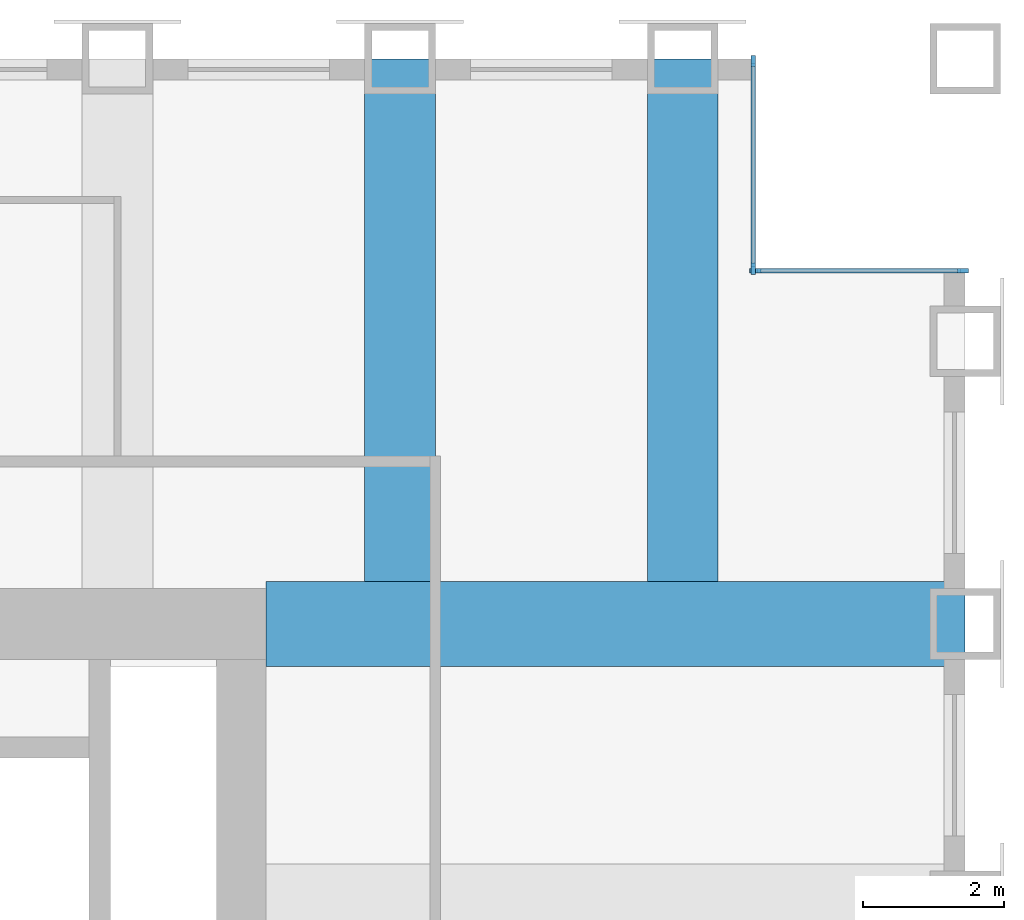
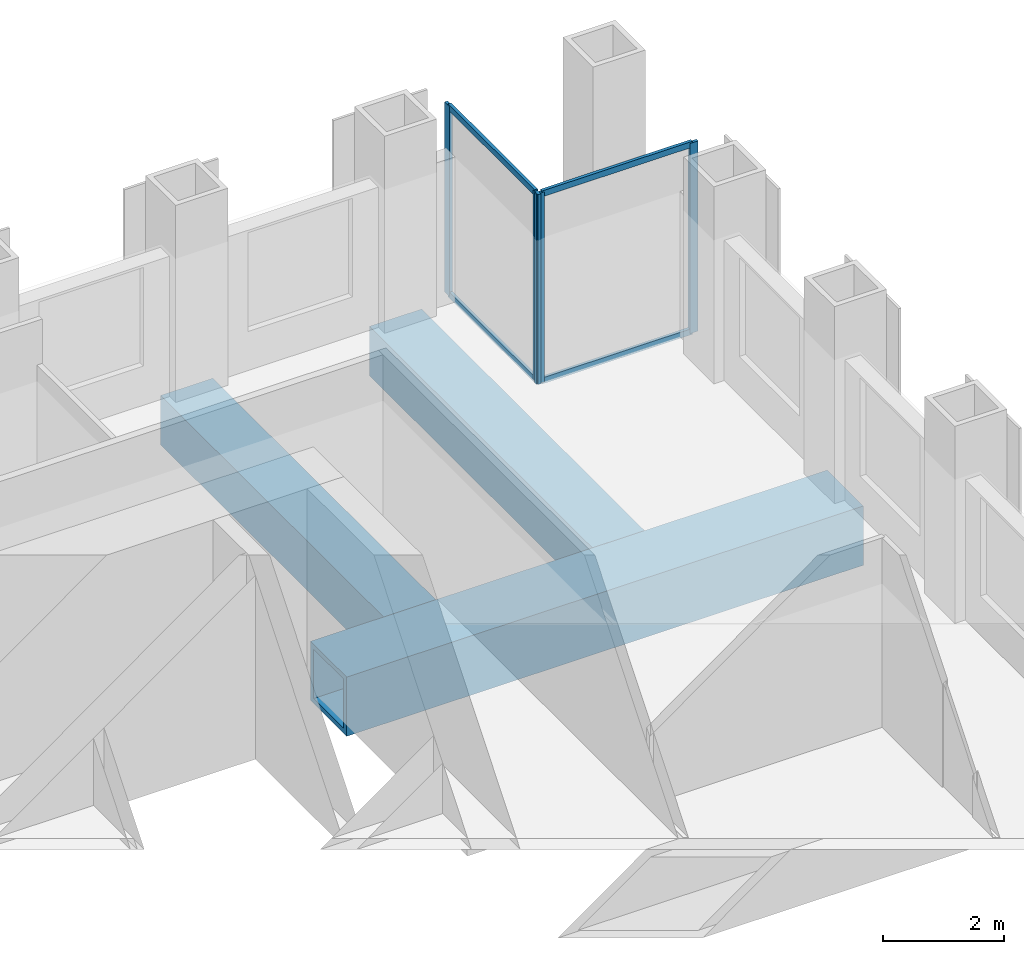
# One storey, part 5 of 10: 8 members, 3 beams, 2 elements without a shape of their own.
"""IFC4 building model written with IfcOpenShell, lengths in metres."""

from ifc_helpers import new_model, si_unit, direction, frame, origin, origin_2d, place, context, subcontext, project, spatial, rectangle, hollow_rectangle, extrude, material, material_profile, profile_set, type_object, element, aggregate, save


model = new_model("IFC4")

# Units and contexts
model_context = context("Model", 3, precision=1e-05, world=origin(), true_north=direction((0.0, 1.0)))
body_context = subcontext(model_context, "Body", "Model", "MODEL_VIEW")
ifc_project = project(units=[si_unit("LENGTHUNIT", "METRE"), si_unit("AREAUNIT", "SQUARE_METRE"), si_unit("VOLUMEUNIT", "CUBIC_METRE"), si_unit("PLANEANGLEUNIT", "RADIAN"), si_unit("MASSUNIT", "GRAM", prefix="KILO")], contexts=[model_context])

# Site, building, storey
site_placement = place(None, origin())
site = spatial("IfcSite", under=ifc_project, at=site_placement, CompositionType="ELEMENT")
building_placement = place(site_placement, origin())
building = spatial("IfcBuilding", under=site, at=building_placement, Name="Rimbunsela Tower", CompositionType="ELEMENT")
storey_placement = place(building_placement, frame((0.0, 0.0, 274.199951171875)))
storey = spatial("IfcBuildingStorey", under=building, at=storey_placement, Name="L66", CompositionType="ELEMENT", Elevation=274.199951171875)

# Beams
ifc_material_1 = material(Name="Steel BJ 55 (fy 410 MPa)", Category="steel")
ifc_material_profile_1 = material_profile(ifc_material_1, hollow_rectangle(XDim=1.0, YDim=1.0, WallThickness=0.10009765625, at=origin_2d()), Name="BOX 1000x1000x100")
ifc_profile_set_1 = profile_set([ifc_material_profile_1], Name="Steel BJ 55 (fy 410 MPa)")
beam_type_1 = type_object("IfcBeamType", Name="Beam BOX 1000x1000x100", PredefinedType="BEAM", material=ifc_profile_set_1)
for number, where, z_axis, x_axis, name in (
    (1, (38.0, 36.60009765625, -0.64990234375), (0.0, 1.0, 0.0), (-1.0, 0.0, 0.0), "Beam B3 L66"),
    (2, (42.0, 36.60009765625, -0.64990234375), (0.0, 1.0, 0.0), (-1.0, 0.0, 0.0), "Beam B3 L66"),
):
    element("IfcBeam", number, at=place(storey_placement, frame(where, z_axis=z_axis, x_axis=x_axis)), inside=storey, type_object=beam_type_1, Name=name, PredefinedType="BEAM", context=body_context, shape_type="SweptSolid", body=[
        extrude(hollow_rectangle(XDim=1.0, YDim=1.0, WallThickness=0.10009765625, at=origin_2d()), origin(), (0.0, 0.0, 1.0), 7.39990234375),
    ])
ifc_material_2 = material(Name="Steel BJ 55 (fy 410 MPa)", Category="steel")
ifc_material_profile_2 = material_profile(ifc_material_2, hollow_rectangle(XDim=1.199951171875, YDim=1.199951171875, WallThickness=0.10009765625, at=origin_2d()), Name="BOX 1200x1200x100")
ifc_profile_set_2 = profile_set([ifc_material_profile_2], Name="Steel BJ 55 (fy 410 MPa)")
beam_type_2 = type_object("IfcBeamType", Name="Beam BOX 1200x1200x100", PredefinedType="BEAM", material=ifc_profile_set_2)
beam_placement = place(storey_placement, frame((36.10009765625, 36.0, -0.75), z_axis=(1.0, 0.0, 0.0), x_axis=(0.0, 1.0, 0.0)))
element("IfcBeam", 3, at=beam_placement, inside=storey, type_object=beam_type_2, Name="Beam B5 L66", PredefinedType="BEAM", context=body_context, shape_type="SweptSolid", body=[
    extrude(hollow_rectangle(XDim=1.199951171875, YDim=1.199951171875, WallThickness=0.10009765625, at=origin_2d()), origin(), (0.0, 0.0, 1.0), 9.89990234375),
])

# Curtain wall, members
ifc_material_3 = material(Name="Aluminium curtain wall", Category="aluminium")
curtain_wall_type = type_object("IfcCurtainWallType", Name="Corner glazing", PredefinedType="USERDEFINED", material=ifc_material_3)
curtain_wall_1_placement = place(storey_placement, origin())
curtain_wall_1 = element("IfcCurtainWall", 4, at=curtain_wall_1_placement, inside=storey, type_object=curtain_wall_type, Name="Corner glazing L66", ObjectType="CORNER GLAZING", PredefinedType="USERDEFINED")
ifc_material_4 = material(Name="Aluminium mullion", Category="aluminium")
ifc_material_profile_3 = material_profile(ifc_material_4, rectangle(XDim=0.06005859375, YDim=0.159912109375, at=origin_2d()), Name="Mullion 60x160")
ifc_profile_set_3 = profile_set([ifc_material_profile_3], Name="Aluminium mullion")
member_type_1 = type_object("IfcMemberType", Name="Curtain wall mullion 60x160", PredefinedType="MULLION", material=ifc_profile_set_3)
member_1_placement = place(storey_placement, frame((45.969970703125, 41.0, 0.0), z_axis=(0.0, 0.0, 1.0), x_axis=(0.0, -1.0, 0.0)))
member_1 = element("IfcMember", 5, at=member_1_placement, type_object=member_type_1, Name="CW5 mullion 1", PredefinedType="MULLION", context=body_context, shape_type="SweptSolid", body=[
    extrude(rectangle(XDim=0.06005859375, YDim=0.159912109375, at=origin_2d()), origin(), (0.0, 0.0, 1.0), 3.85009765625),
])
member_2_placement = place(storey_placement, frame((43.030029296875, 41.0, 0.0), z_axis=(0.0, 0.0, 1.0), x_axis=(0.0, -1.0, 0.0)))
member_2 = element("IfcMember", 6, at=member_2_placement, type_object=member_type_1, Name="CW5 mullion 2", PredefinedType="MULLION", context=body_context, shape_type="SweptSolid", body=[
    extrude(rectangle(XDim=0.06005859375, YDim=0.159912109375, at=origin_2d()), origin(), (0.0, 0.0, 1.0), 3.85009765625),
])

curtain_wall_2_placement = place(storey_placement, origin())
curtain_wall_2 = element("IfcCurtainWall", 7, at=curtain_wall_2_placement, inside=storey, type_object=curtain_wall_type, Name="Corner glazing L66", ObjectType="CORNER GLAZING", PredefinedType="USERDEFINED")
member_3_placement = place(storey_placement, frame((43.0, 41.030029296875, 0.0), z_axis=(0.0, 0.0, 1.0), x_axis=(-1.0, 0.0, 0.0)))
member_3 = element("IfcMember", 8, at=member_3_placement, type_object=member_type_1, Name="CW5 mullion 1", PredefinedType="MULLION", context=body_context, shape_type="SweptSolid", body=[
    extrude(rectangle(XDim=0.06005859375, YDim=0.159912109375, at=origin_2d()), origin(), (0.0, 0.0, 1.0), 3.85009765625),
])
member_4_placement = place(storey_placement, frame((43.0, 43.969970703125, 0.0), z_axis=(0.0, 0.0, 1.0), x_axis=(-1.0, 0.0, 0.0)))
member_4 = element("IfcMember", 9, at=member_4_placement, type_object=member_type_1, Name="CW5 mullion 2", PredefinedType="MULLION", context=body_context, shape_type="SweptSolid", body=[
    extrude(rectangle(XDim=0.06005859375, YDim=0.159912109375, at=origin_2d()), origin(), (0.0, 0.0, 1.0), 3.85009765625),
])

# Member
ifc_material_5 = material(Name="Aluminium transom", Category="aluminium")
ifc_material_profile_4 = material_profile(ifc_material_5, rectangle(XDim=0.06005859375, YDim=0.1201171875, at=origin_2d()), Name="Transom 60x120")
ifc_profile_set_4 = profile_set([ifc_material_profile_4], Name="Aluminium transom")
member_type_2 = type_object("IfcMemberType", Name="Curtain wall transom 60x120", PredefinedType="USERDEFINED", material=ifc_profile_set_4)
member_5_placement = place(storey_placement, frame((45.93994140625, 41.0, 0.030029296875), z_axis=(-1.0, 0.0, 0.0), x_axis=(0.0, -1.0, 0.0)))
member_5 = element("IfcMember", 10, at=member_5_placement, type_object=member_type_2, Name="CW5 transom 1.1", ObjectType="TRANSOM", PredefinedType="USERDEFINED", context=body_context, shape_type="SweptSolid", body=[
    extrude(rectangle(XDim=0.06005859375, YDim=0.1201171875, at=origin_2d()), origin(), (0.0, 0.0, 1.0), 2.8798828125),
])

member_6_placement = place(storey_placement, frame((45.93994140625, 41.0, 3.820068359375), z_axis=(-1.0, 0.0, 0.0), x_axis=(0.0, -1.0, 0.0)))
member_6 = element("IfcMember", 11, at=member_6_placement, type_object=member_type_2, Name="CW5 transom 1.2", ObjectType="TRANSOM", PredefinedType="USERDEFINED", context=body_context, shape_type="SweptSolid", body=[
    extrude(rectangle(XDim=0.06005859375, YDim=0.1201171875, at=origin_2d()), origin(), (0.0, 0.0, 1.0), 2.8798828125),
])

aggregate(curtain_wall_1, [member_1, member_2, member_5, member_6])

member_7_placement = place(storey_placement, frame((43.0, 41.06005859375, 0.030029296875), z_axis=(0.0, 1.0, 0.0), x_axis=(-1.0, 0.0, 0.0)))
member_7 = element("IfcMember", 12, at=member_7_placement, type_object=member_type_2, Name="CW5 transom 1.1", ObjectType="TRANSOM", PredefinedType="USERDEFINED", context=body_context, shape_type="SweptSolid", body=[
    extrude(rectangle(XDim=0.06005859375, YDim=0.1201171875, at=origin_2d()), origin(), (0.0, 0.0, 1.0), 2.8798828125),
])

member_8_placement = place(storey_placement, frame((43.0, 41.06005859375, 3.820068359375), z_axis=(0.0, 1.0, 0.0), x_axis=(-1.0, 0.0, 0.0)))
member_8 = element("IfcMember", 13, at=member_8_placement, type_object=member_type_2, Name="CW5 transom 1.2", ObjectType="TRANSOM", PredefinedType="USERDEFINED", context=body_context, shape_type="SweptSolid", body=[
    extrude(rectangle(XDim=0.06005859375, YDim=0.1201171875, at=origin_2d()), origin(), (0.0, 0.0, 1.0), 2.8798828125),
])

aggregate(curtain_wall_2, [member_3, member_4, member_7, member_8])

save(model, "model.ifc")
